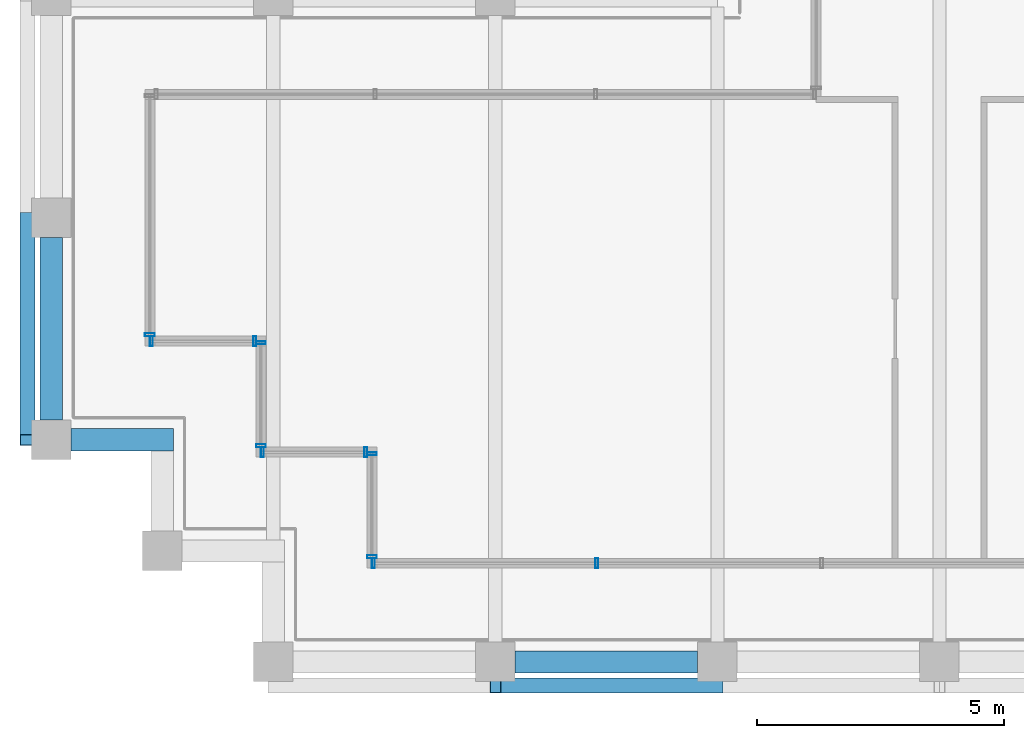
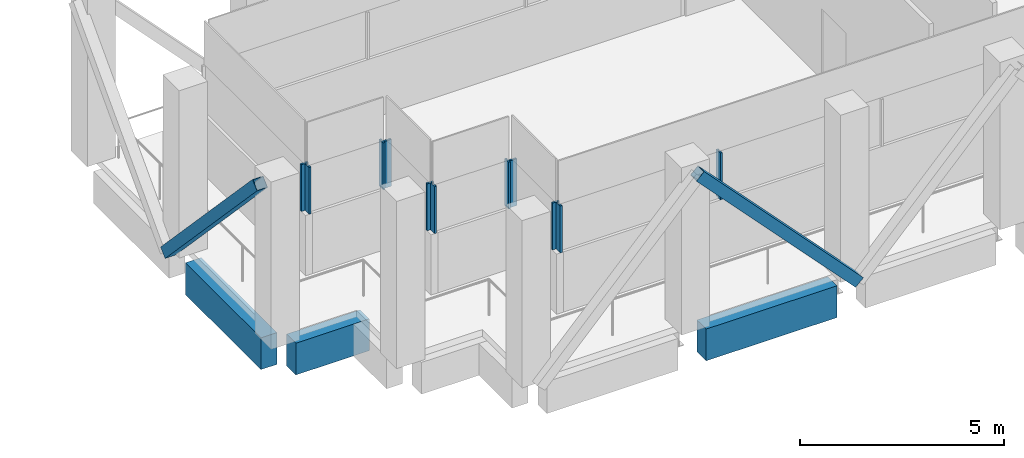
# One storey, part 2 of 21: 13 members, 3 beams, 6 elements without a shape of their own.
"""IFC4 building model written with IfcOpenShell, lengths in metres."""

from ifc_helpers import new_model, si_unit, direction, frame, origin, origin_2d, place, context, subcontext, project, spatial, rectangle, hollow_rectangle, extrude, material, material_profile, profile_set, type_object, element, aggregate, save


model = new_model("IFC4")

# Units and contexts
model_context = context("Model", 3, precision=1e-05, world=origin(), true_north=direction((0.0, 1.0)))
body_context = subcontext(model_context, "Body", "Model", "MODEL_VIEW")
ifc_project = project(units=[si_unit("LENGTHUNIT", "METRE"), si_unit("AREAUNIT", "SQUARE_METRE"), si_unit("VOLUMEUNIT", "CUBIC_METRE"), si_unit("PLANEANGLEUNIT", "RADIAN"), si_unit("MASSUNIT", "GRAM", prefix="KILO")], contexts=[model_context])

# Site, building, storey
site_placement = place(None, origin())
site = spatial("IfcSite", under=ifc_project, at=site_placement, CompositionType="ELEMENT")
building_placement = place(site_placement, origin())
building = spatial("IfcBuilding", under=site, at=building_placement, Name="Altepetl Exchange Towers", CompositionType="ELEMENT")
storey_placement = place(building_placement, frame((0.0, 0.0, 246.0)))
storey = spatial("IfcBuildingStorey", under=building, at=storey_placement, Name="L63 Refuge", CompositionType="ELEMENT", Elevation=246.0)

# Members
ifc_material_1 = material(Name="Steel S355", Category="steel")
ifc_material_profile_1 = material_profile(ifc_material_1, hollow_rectangle(XDim=0.304931640625, YDim=0.304931640625, WallThickness=0.01171875, at=origin_2d()), Name="HSS305X305X12.7")
ifc_profile_set_1 = profile_set([ifc_material_profile_1], Name="Steel S355")
member_type_1 = type_object("IfcMemberType", Name="Belt diagonal HSS305X305X12.7", PredefinedType="BRACE", material=ifc_profile_set_1)
for number, where, z_axis, x_axis, name in (
    (1, (36.0, 26.52001953125, 4.75), (0.687744647911, 0.0, -0.725952683906), (0.0, 1.0, 0.0), "brc:A:L63:001"),
    (2, (26.52001953125, 36.0, 0.0), (0.0, -0.687744647911, 0.725952683906), (1.0, 0.0, 0.0), "brc:A:L63:024"),
):
    element("IfcMember", number, at=place(storey_placement, frame(where, z_axis=z_axis, x_axis=x_axis)), inside=storey, type_object=member_type_1, Name=name, PredefinedType="BRACE", context=body_context, shape_type="SweptSolid", body=[
        extrude(hollow_rectangle(XDim=0.304931640625, YDim=0.304931640625, WallThickness=0.01171875, at=origin_2d()), origin(), (0.0, 0.0, 1.0), 6.543212890625),
    ])

# Curtain wall, member
ifc_material_2 = material(Name="Aluminium 6063-T6 glazing", Category="aluminium")
curtain_wall_type = type_object("IfcCurtainWallType", Name="Refuge slit glazing system", PredefinedType="NOTDEFINED", material=ifc_material_2)
curtain_wall_1_placement = place(storey_placement, origin())
curtain_wall_1 = element("IfcCurtainWall", 3, at=curtain_wall_1_placement, inside=storey, type_object=curtain_wall_type, Name="CW3 run", PredefinedType="NOTDEFINED")
ifc_material_3 = material(Name="Aluminium 6063-T6", Category="aluminium")
ifc_material_profile_2 = material_profile(ifc_material_3, hollow_rectangle(XDim=0.06005859375, YDim=0.199951171875, WallThickness=0.0029296875, at=origin_2d()), Name="Mullion 60x200 aluminium")
ifc_profile_set_2 = profile_set([ifc_material_profile_2], Name="Aluminium 6063-T6")
member_type_2 = type_object("IfcMemberType", Name="Mullion 60x200 aluminium", PredefinedType="MULLION", material=ifc_profile_set_2)
member_1_placement = place(storey_placement, frame((29.0, 33.6298828125, 1.800048828125), z_axis=(0.0, 0.0, 1.0), x_axis=(0.0, -1.0, 0.0)))
member_1 = element("IfcMember", 4, at=member_1_placement, type_object=member_type_2, Name="MU2 mullion", PredefinedType="MULLION", context=body_context, shape_type="SweptSolid", body=[
    extrude(hollow_rectangle(XDim=0.06005859375, YDim=0.199951171875, WallThickness=0.0029296875, at=origin_2d()), origin(), (0.0, 0.0, 1.0), 1.39990234375),
])
aggregate(curtain_wall_1, [member_1])

# Curtain wall, members
curtain_wall_2_placement = place(storey_placement, origin())
curtain_wall_2 = element("IfcCurtainWall", 5, at=curtain_wall_2_placement, inside=storey, type_object=curtain_wall_type, Name="CW3 run", PredefinedType="NOTDEFINED")
member_2_placement = place(storey_placement, frame((29.030029296875, 33.5, 1.800048828125)))
member_2 = element("IfcMember", 6, at=member_2_placement, type_object=member_type_2, Name="MU2 mullion", PredefinedType="MULLION", context=body_context, shape_type="SweptSolid", body=[
    extrude(hollow_rectangle(XDim=0.06005859375, YDim=0.199951171875, WallThickness=0.0029296875, at=origin_2d()), origin(), (0.0, 0.0, 1.0), 1.39990234375),
])
member_3_placement = place(storey_placement, frame((31.1201171875, 33.5, 1.800048828125)))
member_3 = element("IfcMember", 7, at=member_3_placement, type_object=member_type_2, Name="MU2 mullion", PredefinedType="MULLION", context=body_context, shape_type="SweptSolid", body=[
    extrude(hollow_rectangle(XDim=0.06005859375, YDim=0.199951171875, WallThickness=0.0029296875, at=origin_2d()), origin(), (0.0, 0.0, 1.0), 1.39990234375),
])
aggregate(curtain_wall_2, [member_2, member_3])

curtain_wall_3_placement = place(storey_placement, origin())
curtain_wall_3 = element("IfcCurtainWall", 8, at=curtain_wall_3_placement, inside=storey, type_object=curtain_wall_type, Name="CW3 run", PredefinedType="NOTDEFINED")
member_4_placement = place(storey_placement, frame((31.25, 33.469970703125, 1.800048828125), z_axis=(0.0, 0.0, 1.0), x_axis=(0.0, -1.0, 0.0)))
member_4 = element("IfcMember", 9, at=member_4_placement, type_object=member_type_2, Name="MU2 mullion", PredefinedType="MULLION", context=body_context, shape_type="SweptSolid", body=[
    extrude(hollow_rectangle(XDim=0.06005859375, YDim=0.199951171875, WallThickness=0.0029296875, at=origin_2d()), origin(), (0.0, 0.0, 1.0), 1.39990234375),
])
member_5_placement = place(storey_placement, frame((31.25, 31.3798828125, 1.800048828125), z_axis=(0.0, 0.0, 1.0), x_axis=(0.0, -1.0, 0.0)))
member_5 = element("IfcMember", 10, at=member_5_placement, type_object=member_type_2, Name="MU2 mullion", PredefinedType="MULLION", context=body_context, shape_type="SweptSolid", body=[
    extrude(hollow_rectangle(XDim=0.06005859375, YDim=0.199951171875, WallThickness=0.0029296875, at=origin_2d()), origin(), (0.0, 0.0, 1.0), 1.39990234375),
])
aggregate(curtain_wall_3, [member_4, member_5])

curtain_wall_4_placement = place(storey_placement, origin())
curtain_wall_4 = element("IfcCurtainWall", 11, at=curtain_wall_4_placement, inside=storey, type_object=curtain_wall_type, Name="CW3 run", PredefinedType="NOTDEFINED")
member_6_placement = place(storey_placement, frame((31.280029296875, 31.25, 1.800048828125)))
member_6 = element("IfcMember", 12, at=member_6_placement, type_object=member_type_2, Name="MU2 mullion", PredefinedType="MULLION", context=body_context, shape_type="SweptSolid", body=[
    extrude(hollow_rectangle(XDim=0.06005859375, YDim=0.199951171875, WallThickness=0.0029296875, at=origin_2d()), origin(), (0.0, 0.0, 1.0), 1.39990234375),
])
member_7_placement = place(storey_placement, frame((33.3701171875, 31.25, 1.800048828125)))
member_7 = element("IfcMember", 13, at=member_7_placement, type_object=member_type_2, Name="MU2 mullion", PredefinedType="MULLION", context=body_context, shape_type="SweptSolid", body=[
    extrude(hollow_rectangle(XDim=0.06005859375, YDim=0.199951171875, WallThickness=0.0029296875, at=origin_2d()), origin(), (0.0, 0.0, 1.0), 1.39990234375),
])
aggregate(curtain_wall_4, [member_6, member_7])

curtain_wall_5_placement = place(storey_placement, origin())
curtain_wall_5 = element("IfcCurtainWall", 14, at=curtain_wall_5_placement, inside=storey, type_object=curtain_wall_type, Name="CW3 run", PredefinedType="NOTDEFINED")
member_8_placement = place(storey_placement, frame((33.5, 31.219970703125, 1.800048828125), z_axis=(0.0, 0.0, 1.0), x_axis=(0.0, -1.0, 0.0)))
member_8 = element("IfcMember", 15, at=member_8_placement, type_object=member_type_2, Name="MU2 mullion", PredefinedType="MULLION", context=body_context, shape_type="SweptSolid", body=[
    extrude(hollow_rectangle(XDim=0.06005859375, YDim=0.199951171875, WallThickness=0.0029296875, at=origin_2d()), origin(), (0.0, 0.0, 1.0), 1.39990234375),
])
member_9_placement = place(storey_placement, frame((33.5, 29.1298828125, 1.800048828125), z_axis=(0.0, 0.0, 1.0), x_axis=(0.0, -1.0, 0.0)))
member_9 = element("IfcMember", 16, at=member_9_placement, type_object=member_type_2, Name="MU2 mullion", PredefinedType="MULLION", context=body_context, shape_type="SweptSolid", body=[
    extrude(hollow_rectangle(XDim=0.06005859375, YDim=0.199951171875, WallThickness=0.0029296875, at=origin_2d()), origin(), (0.0, 0.0, 1.0), 1.39990234375),
])
aggregate(curtain_wall_5, [member_8, member_9])

curtain_wall_6_placement = place(storey_placement, origin())
curtain_wall_6 = element("IfcCurtainWall", 17, at=curtain_wall_6_placement, inside=storey, type_object=curtain_wall_type, Name="CW3 run", PredefinedType="NOTDEFINED")
member_10_placement = place(storey_placement, frame((33.530029296875, 29.0, 1.800048828125)))
member_10 = element("IfcMember", 18, at=member_10_placement, type_object=member_type_2, Name="MU2 mullion", PredefinedType="MULLION", context=body_context, shape_type="SweptSolid", body=[
    extrude(hollow_rectangle(XDim=0.06005859375, YDim=0.199951171875, WallThickness=0.0029296875, at=origin_2d()), origin(), (0.0, 0.0, 1.0), 1.39990234375),
])
member_11_placement = place(storey_placement, frame((38.05712890625, 29.0, 1.800048828125)))
member_11 = element("IfcMember", 19, at=member_11_placement, type_object=member_type_2, Name="MU2 mullion", PredefinedType="MULLION", context=body_context, shape_type="SweptSolid", body=[
    extrude(hollow_rectangle(XDim=0.06005859375, YDim=0.199951171875, WallThickness=0.0029296875, at=origin_2d()), origin(), (0.0, 0.0, 1.0), 1.39990234375),
])
aggregate(curtain_wall_6, [member_10, member_11])

# Beams
ifc_material_4 = material(Name="Concrete C50/60 precast with cantera blanca facing", Category="concrete")
ifc_material_profile_3 = material_profile(ifc_material_4, rectangle(XDim=0.449951171875, YDim=0.949951171875, at=origin_2d()), Name="450 x 950")
ifc_profile_set_3 = profile_set([ifc_material_profile_3], Name="Concrete C50/60 precast with cantera blanca facing")
beam_type = type_object("IfcBeamType", Name="Spandrel beam 450x950 cantera blanca", PredefinedType="SPANDREL", material=ifc_profile_set_3)
for number, where, z_axis, x_axis, name in (
    (20, (36.39990234375, 27.0, -0.675048828125), (1.0, 0.0, 0.0), (0.0, 1.0, 0.0), "sp:A:L63:001"),
    (21, (27.0, 35.60009765625, -0.675048828125), (0.0, -1.0, 0.0), (1.0, 0.0, 0.0), "sp:A:L63:037"),
):
    element("IfcBeam", number, at=place(storey_placement, frame(where, z_axis=z_axis, x_axis=x_axis)), inside=storey, type_object=beam_type, Name=name, PredefinedType="SPANDREL", context=body_context, shape_type="SweptSolid", body=[
        extrude(rectangle(XDim=0.449951171875, YDim=0.949951171875, at=origin_2d()), origin(), (0.0, 0.0, 1.0), 3.7001953125),
    ])
beam_placement = place(storey_placement, frame((27.39990234375, 31.5, -0.675048828125), z_axis=(1.0, 0.0, 0.0), x_axis=(0.0, 1.0, 0.0)))
element("IfcBeam", 22, at=beam_placement, inside=storey, type_object=beam_type, Name="sp:A:L63:038", PredefinedType="SPANDREL", context=body_context, shape_type="SweptSolid", body=[
    extrude(rectangle(XDim=0.449951171875, YDim=0.949951171875, at=origin_2d()), origin(), (0.0, 0.0, 1.0), 2.0751953125),
])

save(model, "model.ifc")
